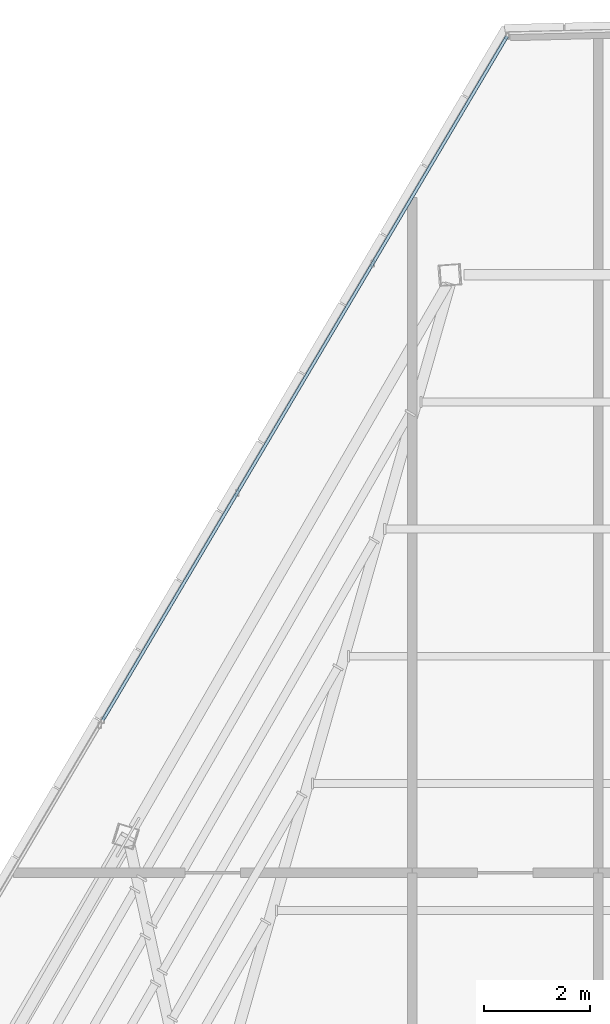
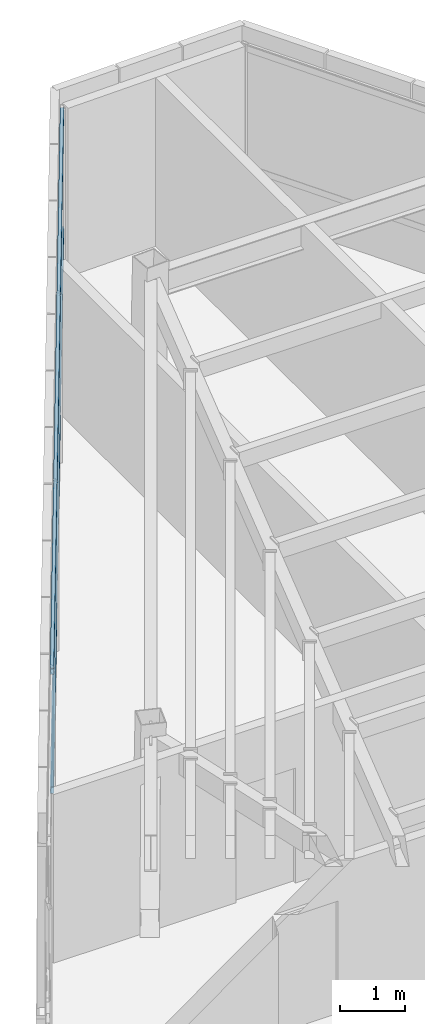
# One storey, part 33 of 48: 2 members, 1 element without a shape of its own.
"""IFC4 building model written with IfcOpenShell, lengths in metres."""

from ifc_helpers import new_model, si_unit, direction, frame, origin, origin_2d, place, context, subcontext, project, spatial, hollow_rectangle, extrude, source, transform, mapped, material, material_profile, profile_set, type_object, type_shapes, element, aggregate, save


model = new_model("IFC4")

# Units and contexts
model_context = context("Model", 3, precision=1e-05, world=origin(), true_north=direction((0.0, 1.0)))
body_context = subcontext(model_context, "Body", "Model", "MODEL_VIEW")
ifc_project = project(units=[si_unit("LENGTHUNIT", "METRE"), si_unit("AREAUNIT", "SQUARE_METRE"), si_unit("VOLUMEUNIT", "CUBIC_METRE"), si_unit("PLANEANGLEUNIT", "RADIAN"), si_unit("MASSUNIT", "GRAM", prefix="KILO")], contexts=[model_context])

# Site, building, storey
site_placement = place(None, origin())
site = spatial("IfcSite", under=ifc_project, at=site_placement, CompositionType="ELEMENT")
building_placement = place(site_placement, origin())
building = spatial("IfcBuilding", under=site, at=building_placement, Name="Caelisora Broadcast Tower", CompositionType="ELEMENT")
storey_placement = place(building_placement, frame((0.0, 0.0, 300.0)))
storey = spatial("IfcBuildingStorey", under=building, at=storey_placement, Name="L79", CompositionType="ELEMENT", Elevation=300.0)

# Curtain wall, members
ifc_material_1 = material(Name="Unitised Aluminium Insulated Shadow-Box Spandrel Curtain Wall", Category="aluminium")
curtain_wall_type = type_object("IfcCurtainWallType", Name="CW-SP3", PredefinedType="NOTDEFINED", material=ifc_material_1)
curtain_wall_placement = place(storey_placement, origin())
curtain_wall = element("IfcCurtainWall", 1, at=curtain_wall_placement, inside=storey, type_object=curtain_wall_type, Name="L79 curtain wall CW-SP3", PredefinedType="NOTDEFINED")
ifc_material_2 = material(Name="Aluminium 6063-T6 Anodised Terracotta Bronze", Category="aluminium")
ifc_material_profile = material_profile(ifc_material_2, hollow_rectangle(XDim=0.06005859375, YDim=0.1201171875, WallThickness=0.0029296875, at=origin_2d()), Name="Aluminium 6063-T6 Anodised Terracotta Bronze")
ifc_profile_set = profile_set([ifc_material_profile], Name="Aluminium 6063-T6 Anodised Terracotta Bronze")
member_type = type_object("IfcMemberType", Name="CWT-03", PredefinedType="USERDEFINED", material=ifc_profile_set)
shared_shape = source(origin(), body_context, "Body", "SweptSolid", [
    extrude(hollow_rectangle(XDim=0.06005859375, YDim=0.1201171875, WallThickness=0.0029296875, at=origin_2d()), origin(), (0.0, 0.0, 1.0), 14.95947265625),
])
type_shapes(member_type, [shared_shape])
member_1_placement = place(storey_placement, frame((28.673583984375, 38.3701171875, 0.85009765625), z_axis=(0.508846972643, 0.860856990697, 0.0), x_axis=(-0.860856990697, 0.508846972643, 0.0)))
member_1 = element("IfcMember", 2, at=member_1_placement, type_object=member_type, Name="L79-CW-B11 transom #1", ObjectType="TRANSOM", PredefinedType="USERDEFINED", context=body_context, shape_type="MappedRepresentation", body=[
    mapped(shared_shape, transform((0.0, 0.0, 0.0), scale=1.0)),
])
member_2_placement = place(storey_placement, frame((28.673583984375, 38.3701171875, 3.070068359375), z_axis=(0.508846972643, 0.860856990697, 0.0), x_axis=(-0.860856990697, 0.508846972643, 0.0)))
member_2 = element("IfcMember", 3, at=member_2_placement, type_object=member_type, Name="L79-CW-B11 transom #2", ObjectType="TRANSOM", PredefinedType="USERDEFINED", context=body_context, shape_type="MappedRepresentation", body=[
    mapped(shared_shape, transform((0.0, 0.0, 0.0), scale=1.0)),
])
aggregate(curtain_wall, [member_1, member_2])

save(model, "model.ifc")
